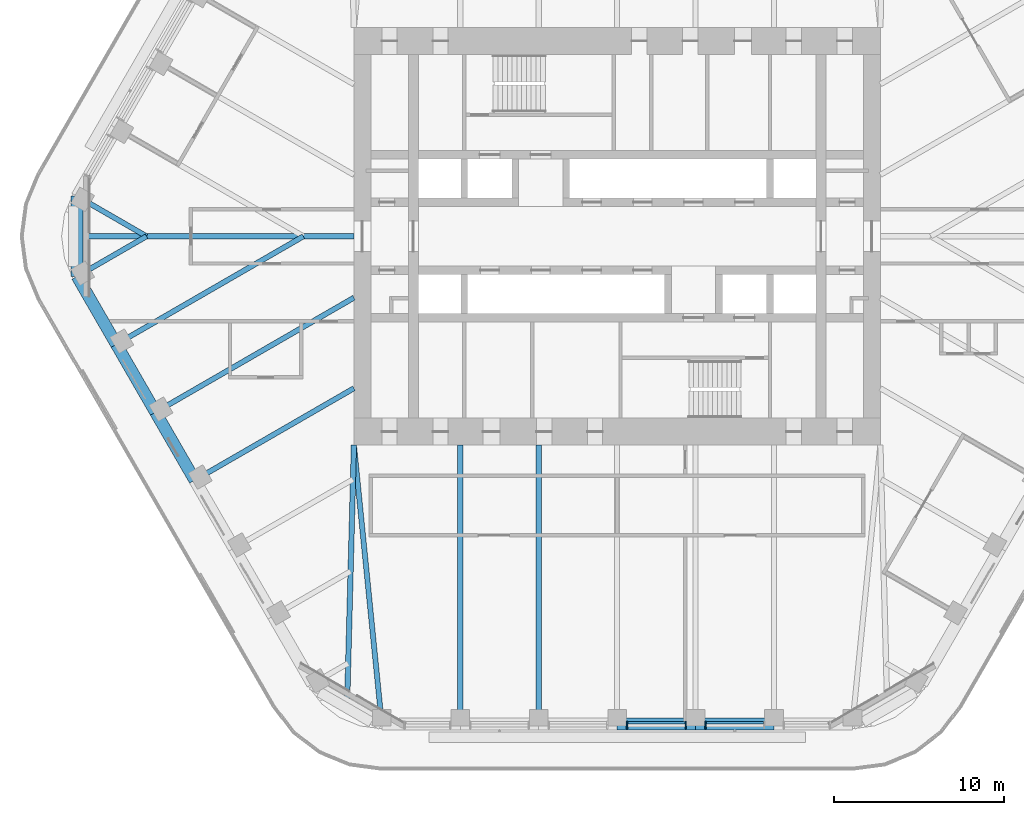
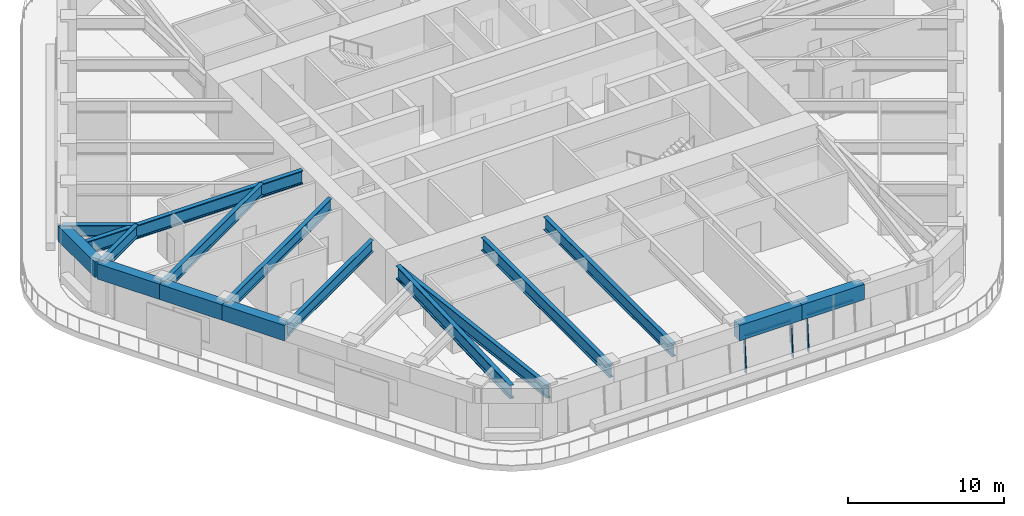
# One storey, part 3 of 20: 16 beams, 5 members, 2 elements without a shape of their own.
"""IFC4 building model written with IfcOpenShell, lengths in metres."""

from ifc_helpers import new_model, si_unit, direction, frame, origin, origin_2d, place, context, subcontext, project, spatial, rectangle, i_section, extrude, material, material_profile, profile_set, type_object, element, aggregate, save


model = new_model("IFC4")

# Units and contexts
model_context = context("Model", 3, precision=1e-05, world=origin(), true_north=direction((0.0, 1.0)))
body_context = subcontext(model_context, "Body", "Model", "MODEL_VIEW")
ifc_project = project(units=[si_unit("LENGTHUNIT", "METRE"), si_unit("AREAUNIT", "SQUARE_METRE"), si_unit("VOLUMEUNIT", "CUBIC_METRE"), si_unit("PLANEANGLEUNIT", "RADIAN"), si_unit("MASSUNIT", "GRAM", prefix="KILO")], contexts=[model_context])

# Site, building, storey
site_placement = place(None, origin())
site = spatial("IfcSite", under=ifc_project, at=site_placement, CompositionType="ELEMENT")
building_placement = place(site_placement, origin())
building = spatial("IfcBuilding", under=site, at=building_placement, Name="Tarfa Lantern Tower", CompositionType="ELEMENT")
storey_placement = place(building_placement, frame((0.0, 0.0, 286.89990234375)))
storey = spatial("IfcBuildingStorey", under=building, at=storey_placement, Name="L65", CompositionType="ELEMENT", Elevation=286.89990234375)

# Curtain wall, members
ifc_material_1 = material(Name="Aluminium framed curtain wall", Category="aluminium")
curtain_wall_type = type_object("IfcCurtainWallType", Name="CW3 CANTED GLAZING HIGH ZONE 2800", PredefinedType="USERDEFINED", material=ifc_material_1)
curtain_wall_1_placement = place(storey_placement, origin())
curtain_wall_1 = element("IfcCurtainWall", 1, at=curtain_wall_1_placement, inside=storey, type_object=curtain_wall_type, Name="CW3 S L65", ObjectType="CURTAIN WALL", PredefinedType="USERDEFINED")
ifc_material_2 = material(Name="Aluminium mullion", Category="aluminium")
ifc_material_profile_1 = material_profile(ifc_material_2, rectangle(XDim=0.06494140625, YDim=0.199951171875, at=origin_2d()), Name="AL MULLION 65x200")
ifc_profile_set_1 = profile_set([ifc_material_profile_1], Name="Aluminium mullion")
member_type_1 = type_object("IfcMemberType", Name="CWM1 MULLION 65x200", PredefinedType="MULLION", material=ifc_profile_set_1)
member_1_placement = place(storey_placement, frame((0.58251953125, -28.89990234375, 0.0), z_axis=(0.0, 0.088930399417, 0.996037842685), x_axis=(-1.0, 0.0, 0.0)))
member_1 = element("IfcMember", 2, at=member_1_placement, type_object=member_type_1, Name="CW3 mullion 1", PredefinedType="MULLION", context=body_context, shape_type="SweptSolid", body=[
    extrude(rectangle(XDim=0.06494140625, YDim=0.199951171875, at=origin_2d()), origin(), (0.0, 0.0, 1.0), 2.811279296875),
])
member_2_placement = place(storey_placement, frame((4.036376953125, -28.89990234375, 0.0), z_axis=(0.0, 0.088930399417, 0.996037842685), x_axis=(-1.0, 0.0, 0.0)))
member_2 = element("IfcMember", 3, at=member_2_placement, type_object=member_type_1, Name="CW3 mullion 2", PredefinedType="MULLION", context=body_context, shape_type="SweptSolid", body=[
    extrude(rectangle(XDim=0.06494140625, YDim=0.199951171875, at=origin_2d()), origin(), (0.0, 0.0, 1.0), 2.811279296875),
])

# Curtain wall, member
curtain_wall_2_placement = place(storey_placement, origin())
curtain_wall_2 = element("IfcCurtainWall", 4, at=curtain_wall_2_placement, inside=storey, type_object=curtain_wall_type, Name="CW3 S L65", ObjectType="CURTAIN WALL", PredefinedType="USERDEFINED")
member_3_placement = place(storey_placement, frame((5.201416015625, -28.89990234375, 0.0), z_axis=(0.0, 0.088930399417, 0.996037842685), x_axis=(-1.0, 0.0, 0.0)))
member_3 = element("IfcMember", 5, at=member_3_placement, type_object=member_type_1, Name="CW3 mullion 1", PredefinedType="MULLION", context=body_context, shape_type="SweptSolid", body=[
    extrude(rectangle(XDim=0.06494140625, YDim=0.199951171875, at=origin_2d()), origin(), (0.0, 0.0, 1.0), 2.811279296875),
])

# Member
ifc_material_3 = material(Name="Aluminium transom", Category="aluminium")
ifc_material_profile_2 = material_profile(ifc_material_3, rectangle(XDim=0.14990234375, YDim=0.06494140625, at=origin_2d()), Name="AL TRANSOM 150x65")
ifc_profile_set_2 = profile_set([ifc_material_profile_2], Name="Aluminium transom")
member_type_2 = type_object("IfcMemberType", Name="CWT1 TRANSOM 150x65", PredefinedType="USERDEFINED", material=ifc_profile_set_2)
member_4_placement = place(storey_placement, frame((0.614990234375, -28.65283203125, 2.767578125), z_axis=(1.0, 0.0, 0.0), x_axis=(0.0, 1.0, 0.0)))
member_4 = element("IfcMember", 6, at=member_4_placement, type_object=member_type_2, Name="CW3 transom 1.2", ObjectType="TRANSOM", PredefinedType="USERDEFINED", context=body_context, shape_type="SweptSolid", body=[
    extrude(rectangle(XDim=0.14990234375, YDim=0.06494140625, at=origin_2d()), origin(), (0.0, 0.0, 1.0), 3.388916015625),
])

aggregate(curtain_wall_1, [member_1, member_2, member_4])

member_5_placement = place(storey_placement, frame((5.23388671875, -28.65283203125, 2.767578125), z_axis=(1.0, 0.0, 0.0), x_axis=(0.0, 1.0, 0.0)))
member_5 = element("IfcMember", 7, at=member_5_placement, type_object=member_type_2, Name="CW3 transom 1.2", ObjectType="TRANSOM", PredefinedType="USERDEFINED", context=body_context, shape_type="SweptSolid", body=[
    extrude(rectangle(XDim=0.14990234375, YDim=0.06494140625, at=origin_2d()), origin(), (0.0, 0.0, 1.0), 3.388671875),
])

aggregate(curtain_wall_2, [member_3, member_5])

# Beams
ifc_material_4 = material(Name="Concrete C80/95", Category="concrete")
ifc_material_profile_3 = material_profile(ifc_material_4, rectangle(XDim=0.699951171875, YDim=1.199951171875, at=origin_2d()), Name="RC 700x1200")
ifc_profile_set_3 = profile_set([ifc_material_profile_3], Name="Concrete C80/95")
beam_type_1 = type_object("IfcBeamType", Name="EB3 RC 700x1200", PredefinedType="SPANDREL", material=ifc_profile_set_3)
beam_1_placement = place(storey_placement, frame((-31.800537109375, 2.360107421875, 3.400146484375), z_axis=(0.0, -1.0, 0.0), x_axis=(1.0, 0.0, 0.0)))
element("IfcBeam", 8, at=beam_1_placement, inside=storey, type_object=beam_type_1, Name="Edge beam NW6", PredefinedType="SPANDREL", context=body_context, shape_type="SweptSolid", body=[
    extrude(rectangle(XDim=0.699951171875, YDim=1.199951171875, at=origin_2d()), origin(), (0.0, 0.0, 1.0), 4.72021484375),
])
beam_2_placement = place(storey_placement, frame((-31.800537109375, -2.360107421875, 3.400146484375), z_axis=(0.500027479704, -0.866009537788, 0.0), x_axis=(0.866009537788, 0.500027479704, 0.0)))
element("IfcBeam", 9, at=beam_2_placement, inside=storey, type_object=beam_type_1, Name="Edge beam SW0", PredefinedType="SPANDREL", context=body_context, shape_type="SweptSolid", body=[
    extrude(rectangle(XDim=0.699951171875, YDim=1.199951171875, at=origin_2d()), origin(), (0.0, 0.0, 1.0), 4.618896484375),
])
for number, where, z_axis, x_axis, name in (
    (10, (-29.490966796875, -6.360107421875, 3.400146484375), (0.499987836815, -0.866032426089, 0.0), (0.866032426089, 0.499987836815, 0.0), "Edge beam SW1"),
    (11, (-27.181640625, -10.360107421875, 3.400146484375), (0.499987836815, -0.866032426089, 0.0), (0.866032426089, 0.499987836815, 0.0), "Edge beam SW2"),
):
    element("IfcBeam", number, at=place(storey_placement, frame(where, z_axis=z_axis, x_axis=x_axis)), inside=storey, type_object=beam_type_1, Name=name, PredefinedType="SPANDREL", context=body_context, shape_type="SweptSolid", body=[
        extrude(rectangle(XDim=0.699951171875, YDim=1.199951171875, at=origin_2d()), origin(), (0.0, 0.0, 1.0), 4.61865234375),
    ])
beam_3_placement = place(storey_placement, frame((0.0, -28.719970703125, 3.400146484375), z_axis=(1.0, 0.0, 0.0), x_axis=(0.0, 1.0, 0.0)))
element("IfcBeam", 12, at=beam_3_placement, inside=storey, type_object=beam_type_1, Name="Edge beam S3", PredefinedType="SPANDREL", context=body_context, shape_type="SweptSolid", body=[
    extrude(rectangle(XDim=0.699951171875, YDim=1.199951171875, at=origin_2d()), origin(), (0.0, 0.0, 1.0), 4.618896484375),
])
beam_4_placement = place(storey_placement, frame((4.618896484375, -28.719970703125, 3.400146484375), z_axis=(1.0, 0.0, 0.0), x_axis=(0.0, 1.0, 0.0)))
element("IfcBeam", 13, at=beam_4_placement, inside=storey, type_object=beam_type_1, Name="Edge beam S4", PredefinedType="SPANDREL", context=body_context, shape_type="SweptSolid", body=[
    extrude(rectangle(XDim=0.699951171875, YDim=1.199951171875, at=origin_2d()), origin(), (0.0, 0.0, 1.0), 4.61865234375),
])
ifc_material_5 = material(Name="Steel S460M", Category="steel")
ifc_material_profile_4 = material_profile(ifc_material_5, i_section(OverallWidth=0.302001953125, OverallDepth=1.008056640625, WebThickness=0.02099609375, FlangeThickness=0.0400390625, FilletRadius=0.030029296875, at=origin_2d()), Name="UB1016x305x349")
ifc_profile_set_4 = profile_set([ifc_material_profile_4], Name="Steel S460M")
beam_type_2 = type_object("IfcBeamType", Name="UB1016x305x349", PredefinedType="BEAM", material=ifc_profile_set_4)
beam_5_placement = place(storey_placement, frame((-13.8564453125, -28.719970703125, 3.49609375), z_axis=(-0.099597466746, 0.995027810977, 0.0), x_axis=(-0.995027810977, -0.099597466746, 0.0)))
element("IfcBeam", 14, at=beam_5_placement, inside=storey, type_object=beam_type_2, Name="Floor beam S0", PredefinedType="BEAM", context=body_context, shape_type="SweptSolid", body=[
    extrude(i_section(OverallWidth=0.302001953125, OverallDepth=1.008056640625, WebThickness=0.02099609375, FlangeThickness=0.0400390625, FilletRadius=0.030029296875, at=origin_2d()), origin(), (0.0, 0.0, 1.0), 16.501953125),
])
for number, where, z_axis, x_axis, name in (
    (15, (-9.237548828125, -28.719970703125, 3.49609375), (0.0, 1.0, 0.0), (-1.0, 0.0, 0.0), "Floor beam S1"),
    (16, (-4.618896484375, -28.719970703125, 3.49609375), (0.0, 1.0, 0.0), (-1.0, 0.0, 0.0), "Floor beam S2"),
):
    element("IfcBeam", number, at=place(storey_placement, frame(where, z_axis=z_axis, x_axis=x_axis)), inside=storey, type_object=beam_type_2, Name=name, PredefinedType="BEAM", context=body_context, shape_type="SweptSolid", body=[
        extrude(i_section(OverallWidth=0.302001953125, OverallDepth=1.008056640625, WebThickness=0.02099609375, FlangeThickness=0.0400390625, FilletRadius=0.030029296875, at=origin_2d()), origin(), (0.0, 0.0, 1.0), 16.419921875),
    ])
ifc_material_profile_5 = material_profile(ifc_material_5, i_section(OverallWidth=0.314208984375, OverallDepth=1.055908203125, WebThickness=0.035888671875, FlangeThickness=0.06396484375, FilletRadius=0.030029296875, at=origin_2d()), Name="UB1016x305x584")
ifc_profile_set_5 = profile_set([ifc_material_profile_5], Name="Steel S460M")
beam_type_3 = type_object("IfcBeamType", Name="UB1016x305x584", PredefinedType="BEAM", material=ifc_profile_set_5)
beam_6_placement = place(storey_placement, frame((-15.5, 0.0, 3.47216796875), z_axis=(-1.0, 0.0, 0.0), x_axis=(0.0, -1.0, 0.0)))
element("IfcBeam", 17, at=beam_6_placement, inside=storey, type_object=beam_type_3, Name="Hip girder W", PredefinedType="BEAM", context=body_context, shape_type="SweptSolid", body=[
    extrude(i_section(OverallWidth=0.314208984375, OverallDepth=1.055908203125, WebThickness=0.035888671875, FlangeThickness=0.06396484375, FilletRadius=0.030029296875, at=origin_2d()), origin(), (0.0, 0.0, 1.0), 16.300537109375),
])
beam_7_placement = place(storey_placement, frame((-15.5, -12.300048828125, 3.47216796875), z_axis=(-0.026247301989, -0.999655480222, 0.0), x_axis=(0.999655480222, -0.026247301989, 0.0)))
element("IfcBeam", 18, at=beam_7_placement, inside=storey, type_object=beam_type_3, Name="Hip girder SW", PredefinedType="BEAM", context=body_context, shape_type="SweptSolid", body=[
    extrude(i_section(OverallWidth=0.314208984375, OverallDepth=1.055908203125, WebThickness=0.035888671875, FlangeThickness=0.06396484375, FilletRadius=0.030029296875, at=origin_2d()), origin(), (0.0, 0.0, 1.0), 15.245361328125),
])
ifc_material_profile_6 = material_profile(ifc_material_5, i_section(OverallWidth=0.305419921875, OverallDepth=0.91845703125, WebThickness=0.017333984375, FlangeThickness=0.02783203125, FilletRadius=0.01904296875, at=origin_2d()), Name="UB914x305x253")
ifc_profile_set_6 = profile_set([ifc_material_profile_6], Name="Steel S460M")
beam_type_4 = type_object("IfcBeamType", Name="UB914x305x253", PredefinedType="BEAM", material=ifc_profile_set_6)
for number, where, z_axis, x_axis, name in (
    (19, (-31.800537109375, 2.360107421875, 3.541015625), (0.866015897305, -0.500016465344, 0.0), (0.500016465344, 0.866015897305, 0.0), "Floor beam NW6"),
    (20, (-31.800537109375, -2.360107421875, 3.541015625), (0.866015897305, 0.500016465344, 0.0), (-0.500016465344, 0.866015897305, 0.0), "Floor beam SW0"),
):
    element("IfcBeam", number, at=place(storey_placement, frame(where, z_axis=z_axis, x_axis=x_axis)), inside=storey, type_object=beam_type_4, Name=name, PredefinedType="BEAM", context=body_context, shape_type="SweptSolid", body=[
        extrude(i_section(OverallWidth=0.305419921875, OverallDepth=0.91845703125, WebThickness=0.017333984375, FlangeThickness=0.02783203125, FilletRadius=0.01904296875, at=origin_2d()), origin(), (0.0, 0.0, 1.0), 4.719970703125),
    ])
beam_8_placement = place(storey_placement, frame((-29.490966796875, -6.360107421875, 3.541015625), z_axis=(0.866022258038, 0.500005448553, 0.0), x_axis=(-0.500005448553, 0.866022258038, 0.0)))
element("IfcBeam", 21, at=beam_8_placement, inside=storey, type_object=beam_type_4, Name="Floor beam SW1", PredefinedType="BEAM", context=body_context, shape_type="SweptSolid", body=[
    extrude(i_section(OverallWidth=0.305419921875, OverallDepth=0.91845703125, WebThickness=0.017333984375, FlangeThickness=0.02783203125, FilletRadius=0.01904296875, at=origin_2d()), origin(), (0.0, 0.0, 1.0), 12.719970703125),
])
beam_9_placement = place(storey_placement, frame((-27.181640625, -10.360107421875, 3.541015625), z_axis=(0.866018002818, 0.500012818631, 0.0), x_axis=(-0.500012818631, 0.866018002818, 0.0)))
element("IfcBeam", 22, at=beam_9_placement, inside=storey, type_object=beam_type_4, Name="Floor beam SW2", PredefinedType="BEAM", context=body_context, shape_type="SweptSolid", body=[
    extrude(i_section(OverallWidth=0.305419921875, OverallDepth=0.91845703125, WebThickness=0.017333984375, FlangeThickness=0.02783203125, FilletRadius=0.01904296875, at=origin_2d()), origin(), (0.0, 0.0, 1.0), 13.489013671875),
])
beam_10_placement = place(storey_placement, frame((-24.872314453125, -14.360107421875, 3.541015625), z_axis=(0.8660244219, 0.500001700669, 0.0), x_axis=(-0.500001700669, 0.8660244219, 0.0)))
element("IfcBeam", 23, at=beam_10_placement, inside=storey, type_object=beam_type_4, Name="Floor beam SW3", PredefinedType="BEAM", context=body_context, shape_type="SweptSolid", body=[
    extrude(i_section(OverallWidth=0.305419921875, OverallDepth=0.91845703125, WebThickness=0.017333984375, FlangeThickness=0.02783203125, FilletRadius=0.01904296875, at=origin_2d()), origin(), (0.0, 0.0, 1.0), 10.822265625),
])

save(model, "model.ifc")
